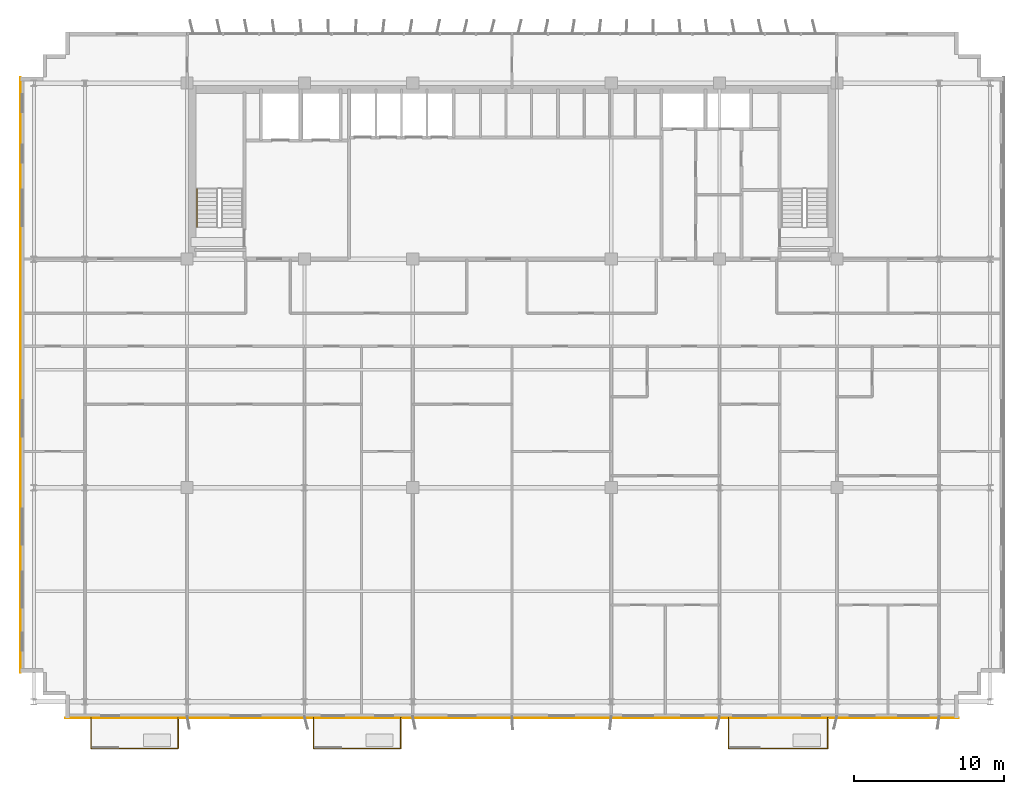
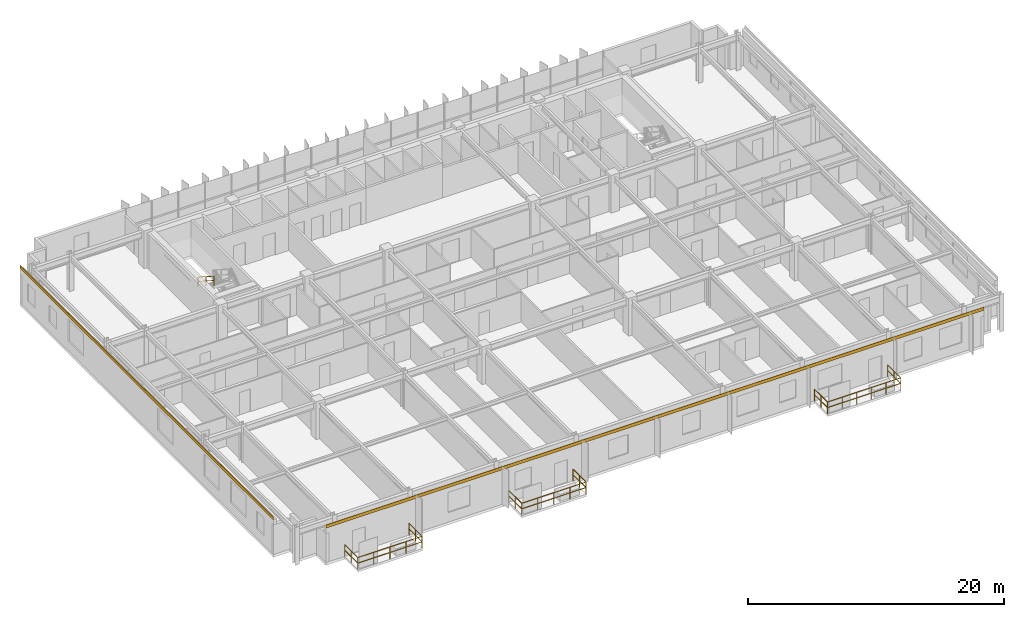
# One storey, part 19 of 21: 10 railings, 2 coverings.
"""IFC4 building model written with IfcOpenShell, lengths in metres."""

from ifc_helpers import new_model, si_unit, direction, frame, origin, origin_2d, place, context, subcontext, project, spatial, rectangle, extrude, source, transform, mapped, material, layer, layer_set, type_object, element, save


model = new_model("IFC4")

# Units and contexts
model_context = context("Model", 3, precision=1e-05, world=origin(), true_north=direction((0.0, 1.0)))
body_context = subcontext(model_context, "Body", "Model", "MODEL_VIEW")
ifc_project = project(units=[si_unit("LENGTHUNIT", "METRE"), si_unit("AREAUNIT", "SQUARE_METRE"), si_unit("VOLUMEUNIT", "CUBIC_METRE"), si_unit("PLANEANGLEUNIT", "RADIAN"), si_unit("MASSUNIT", "GRAM", prefix="KILO")], contexts=[model_context])

# Site, building, storey
site_placement = place(None, origin())
site = spatial("IfcSite", under=ifc_project, at=site_placement, CompositionType="ELEMENT")
building_placement = place(site_placement, origin())
building = spatial("IfcBuilding", under=site, at=building_placement, Name="Trelvane Seafront Commons", CompositionType="ELEMENT")
storey_placement = place(building_placement, frame((0.0, 0.0, 106.89990234375)))
storey = spatial("IfcBuildingStorey", under=building, at=storey_placement, Name="L27", CompositionType="ELEMENT", Elevation=106.89990234375)

# Railings
ifc_material_1 = material(Name="Stainless steel balustrade", Category="steel")
railing_type_1 = type_object("IfcRailingType", Name="ARCH-RAIL-BAL1150", PredefinedType="BALUSTRADE", material=ifc_material_1)
railing_1_placement = place(storey_placement, frame((9.199951171875, 2.89990234375, 0.0)))
element("IfcRailing", 1, at=railing_1_placement, inside=storey, type_object=railing_type_1, Name="RL-L27-BAL0-01", PredefinedType="BALUSTRADE", context=body_context, shape_type="SweptSolid", body=[
    extrude(rectangle(XDim=0.048095703125, YDim=0.048095703125, at=origin_2d()), frame((0.0, 0.0, 1.1259765625), z_axis=(0.0, -1.0, 0.0), x_axis=(1.0, 0.0, 0.0)), (0.0, 0.0, 1.0), 2.039794921875),
    extrude(rectangle(XDim=0.048095703125, YDim=0.048095703125, at=origin_2d()), frame((0.0, 0.0, 0.597900390625), z_axis=(0.0, -1.0, 0.0), x_axis=(1.0, 0.0, 0.0)), (0.0, 0.0, 1.0), 2.039794921875),
    extrude(rectangle(XDim=0.0419921875, YDim=0.0419921875, at=origin_2d()), origin(), (0.0, 0.0, 1.0), 1.1259765625),
    extrude(rectangle(XDim=0.0419921875, YDim=0.0419921875, at=origin_2d()), frame((0.0, -1.02001953125, 0.0)), (0.0, 0.0, 1.0), 1.1259765625),
    extrude(rectangle(XDim=0.0419921875, YDim=0.0419921875, at=origin_2d()), frame((0.0, -2.039794921875, 0.0)), (0.0, 0.0, 1.0), 1.1259765625),
])
railing_2_placement = place(storey_placement, frame((9.199951171875, 0.860107421875, 0.0)))
element("IfcRailing", 2, at=railing_2_placement, inside=storey, type_object=railing_type_1, Name="RL-L27-BAL0-02", PredefinedType="BALUSTRADE", context=body_context, shape_type="SweptSolid", body=[
    extrude(rectangle(XDim=0.048095703125, YDim=0.048095703125, at=origin_2d()), frame((0.0, 0.0, 1.1259765625), z_axis=(1.0, 0.0, 0.0), x_axis=(0.0, 1.0, 0.0)), (0.0, 0.0, 1.0), 5.800048828125),
    extrude(rectangle(XDim=0.048095703125, YDim=0.048095703125, at=origin_2d()), frame((0.0, 0.0, 0.597900390625), z_axis=(1.0, 0.0, 0.0), x_axis=(0.0, 1.0, 0.0)), (0.0, 0.0, 1.0), 5.800048828125),
    extrude(rectangle(XDim=0.0419921875, YDim=0.0419921875, at=origin_2d()), origin(), (0.0, 0.0, 1.0), 1.1259765625),
    extrude(rectangle(XDim=0.0419921875, YDim=0.0419921875, at=origin_2d()), frame((1.449951171875, 0.0, 0.0)), (0.0, 0.0, 1.0), 1.1259765625),
    extrude(rectangle(XDim=0.0419921875, YDim=0.0419921875, at=origin_2d()), frame((2.89990234375, 0.0, 0.0)), (0.0, 0.0, 1.0), 1.1259765625),
    extrude(rectangle(XDim=0.0419921875, YDim=0.0419921875, at=origin_2d()), frame((4.35009765625, 0.0, 0.0)), (0.0, 0.0, 1.0), 1.1259765625),
    extrude(rectangle(XDim=0.0419921875, YDim=0.0419921875, at=origin_2d()), frame((5.800048828125, 0.0, 0.0)), (0.0, 0.0, 1.0), 1.1259765625),
])
railing_3_placement = place(storey_placement, frame((15.0, 0.860107421875, 0.0)))
element("IfcRailing", 3, at=railing_3_placement, inside=storey, type_object=railing_type_1, Name="RL-L27-BAL0-03", PredefinedType="BALUSTRADE", context=body_context, shape_type="SweptSolid", body=[
    extrude(rectangle(XDim=0.048095703125, YDim=0.048095703125, at=origin_2d()), frame((0.0, 0.0, 1.1259765625), z_axis=(0.0, 1.0, 0.0), x_axis=(-1.0, 0.0, 0.0)), (0.0, 0.0, 1.0), 2.039794921875),
    extrude(rectangle(XDim=0.048095703125, YDim=0.048095703125, at=origin_2d()), frame((0.0, 0.0, 0.597900390625), z_axis=(0.0, 1.0, 0.0), x_axis=(-1.0, 0.0, 0.0)), (0.0, 0.0, 1.0), 2.039794921875),
    extrude(rectangle(XDim=0.0419921875, YDim=0.0419921875, at=origin_2d()), origin(), (0.0, 0.0, 1.0), 1.1259765625),
    extrude(rectangle(XDim=0.0419921875, YDim=0.0419921875, at=origin_2d()), frame((0.0, 1.02001953125, 0.0)), (0.0, 0.0, 1.0), 1.1259765625),
    extrude(rectangle(XDim=0.0419921875, YDim=0.0419921875, at=origin_2d()), frame((0.0, 2.039794921875, 0.0)), (0.0, 0.0, 1.0), 1.1259765625),
])
railing_4_placement = place(storey_placement, frame((24.0, 2.89990234375, 0.0)))
element("IfcRailing", 4, at=railing_4_placement, inside=storey, type_object=railing_type_1, Name="RL-L27-BAL1-01", PredefinedType="BALUSTRADE", context=body_context, shape_type="SweptSolid", body=[
    extrude(rectangle(XDim=0.048095703125, YDim=0.048095703125, at=origin_2d()), frame((0.0, 0.0, 1.1259765625), z_axis=(0.0, -1.0, 0.0), x_axis=(1.0, 0.0, 0.0)), (0.0, 0.0, 1.0), 2.039794921875),
    extrude(rectangle(XDim=0.048095703125, YDim=0.048095703125, at=origin_2d()), frame((0.0, 0.0, 0.597900390625), z_axis=(0.0, -1.0, 0.0), x_axis=(1.0, 0.0, 0.0)), (0.0, 0.0, 1.0), 2.039794921875),
    extrude(rectangle(XDim=0.0419921875, YDim=0.0419921875, at=origin_2d()), origin(), (0.0, 0.0, 1.0), 1.1259765625),
    extrude(rectangle(XDim=0.0419921875, YDim=0.0419921875, at=origin_2d()), frame((0.0, -1.02001953125, 0.0)), (0.0, 0.0, 1.0), 1.1259765625),
    extrude(rectangle(XDim=0.0419921875, YDim=0.0419921875, at=origin_2d()), frame((0.0, -2.039794921875, 0.0)), (0.0, 0.0, 1.0), 1.1259765625),
])
railing_5_placement = place(storey_placement, frame((24.0, 0.860107421875, 0.0)))
element("IfcRailing", 5, at=railing_5_placement, inside=storey, type_object=railing_type_1, Name="RL-L27-BAL1-02", PredefinedType="BALUSTRADE", context=body_context, shape_type="SweptSolid", body=[
    extrude(rectangle(XDim=0.048095703125, YDim=0.048095703125, at=origin_2d()), frame((0.0, 0.0, 1.1259765625), z_axis=(1.0, 0.0, 0.0), x_axis=(0.0, 1.0, 0.0)), (0.0, 0.0, 1.0), 5.800048828125),
    extrude(rectangle(XDim=0.048095703125, YDim=0.048095703125, at=origin_2d()), frame((0.0, 0.0, 0.597900390625), z_axis=(1.0, 0.0, 0.0), x_axis=(0.0, 1.0, 0.0)), (0.0, 0.0, 1.0), 5.800048828125),
    extrude(rectangle(XDim=0.0419921875, YDim=0.0419921875, at=origin_2d()), origin(), (0.0, 0.0, 1.0), 1.1259765625),
    extrude(rectangle(XDim=0.0419921875, YDim=0.0419921875, at=origin_2d()), frame((1.449951171875, 0.0, 0.0)), (0.0, 0.0, 1.0), 1.1259765625),
    extrude(rectangle(XDim=0.0419921875, YDim=0.0419921875, at=origin_2d()), frame((2.89990234375, 0.0, 0.0)), (0.0, 0.0, 1.0), 1.1259765625),
    extrude(rectangle(XDim=0.0419921875, YDim=0.0419921875, at=origin_2d()), frame((4.35009765625, 0.0, 0.0)), (0.0, 0.0, 1.0), 1.1259765625),
    extrude(rectangle(XDim=0.0419921875, YDim=0.0419921875, at=origin_2d()), frame((5.800048828125, 0.0, 0.0)), (0.0, 0.0, 1.0), 1.1259765625),
])
railing_6_placement = place(storey_placement, frame((29.800048828125, 0.860107421875, 0.0)))
element("IfcRailing", 6, at=railing_6_placement, inside=storey, type_object=railing_type_1, Name="RL-L27-BAL1-03", PredefinedType="BALUSTRADE", context=body_context, shape_type="SweptSolid", body=[
    extrude(rectangle(XDim=0.048095703125, YDim=0.048095703125, at=origin_2d()), frame((0.0, 0.0, 1.1259765625), z_axis=(0.0, 1.0, 0.0), x_axis=(-1.0, 0.0, 0.0)), (0.0, 0.0, 1.0), 2.039794921875),
    extrude(rectangle(XDim=0.048095703125, YDim=0.048095703125, at=origin_2d()), frame((0.0, 0.0, 0.597900390625), z_axis=(0.0, 1.0, 0.0), x_axis=(-1.0, 0.0, 0.0)), (0.0, 0.0, 1.0), 2.039794921875),
    extrude(rectangle(XDim=0.0419921875, YDim=0.0419921875, at=origin_2d()), origin(), (0.0, 0.0, 1.0), 1.1259765625),
    extrude(rectangle(XDim=0.0419921875, YDim=0.0419921875, at=origin_2d()), frame((0.0, 1.02001953125, 0.0)), (0.0, 0.0, 1.0), 1.1259765625),
    extrude(rectangle(XDim=0.0419921875, YDim=0.0419921875, at=origin_2d()), frame((0.0, 2.039794921875, 0.0)), (0.0, 0.0, 1.0), 1.1259765625),
])
railing_7_placement = place(storey_placement, frame((51.60009765625, 2.89990234375, 0.0)))
element("IfcRailing", 7, at=railing_7_placement, inside=storey, type_object=railing_type_1, Name="RL-L27-BAL2-01", PredefinedType="BALUSTRADE", context=body_context, shape_type="SweptSolid", body=[
    extrude(rectangle(XDim=0.048095703125, YDim=0.048095703125, at=origin_2d()), frame((0.0, 0.0, 1.1259765625), z_axis=(0.0, -1.0, 0.0), x_axis=(1.0, 0.0, 0.0)), (0.0, 0.0, 1.0), 2.039794921875),
    extrude(rectangle(XDim=0.048095703125, YDim=0.048095703125, at=origin_2d()), frame((0.0, 0.0, 0.597900390625), z_axis=(0.0, -1.0, 0.0), x_axis=(1.0, 0.0, 0.0)), (0.0, 0.0, 1.0), 2.039794921875),
    extrude(rectangle(XDim=0.0419921875, YDim=0.0419921875, at=origin_2d()), origin(), (0.0, 0.0, 1.0), 1.1259765625),
    extrude(rectangle(XDim=0.0419921875, YDim=0.0419921875, at=origin_2d()), frame((0.0, -1.02001953125, 0.0)), (0.0, 0.0, 1.0), 1.1259765625),
    extrude(rectangle(XDim=0.0419921875, YDim=0.0419921875, at=origin_2d()), frame((0.0, -2.039794921875, 0.0)), (0.0, 0.0, 1.0), 1.1259765625),
])
railing_8_placement = place(storey_placement, frame((51.60009765625, 0.860107421875, 0.0)))
element("IfcRailing", 8, at=railing_8_placement, inside=storey, type_object=railing_type_1, Name="RL-L27-BAL2-02", PredefinedType="BALUSTRADE", context=body_context, shape_type="SweptSolid", body=[
    extrude(rectangle(XDim=0.048095703125, YDim=0.048095703125, at=origin_2d()), frame((0.0, 0.0, 1.1259765625), z_axis=(1.0, 0.0, 0.0), x_axis=(0.0, 1.0, 0.0)), (0.0, 0.0, 1.0), 6.599853515625),
    extrude(rectangle(XDim=0.048095703125, YDim=0.048095703125, at=origin_2d()), frame((0.0, 0.0, 0.597900390625), z_axis=(1.0, 0.0, 0.0), x_axis=(0.0, 1.0, 0.0)), (0.0, 0.0, 1.0), 6.599853515625),
    extrude(rectangle(XDim=0.0419921875, YDim=0.0419921875, at=origin_2d()), origin(), (0.0, 0.0, 1.0), 1.1259765625),
    extrude(rectangle(XDim=0.0419921875, YDim=0.0419921875, at=origin_2d()), frame((1.320068359375, 0.0, 0.0)), (0.0, 0.0, 1.0), 1.1259765625),
    extrude(rectangle(XDim=0.0419921875, YDim=0.0419921875, at=origin_2d()), frame((2.639892578125, 0.0, 0.0)), (0.0, 0.0, 1.0), 1.1259765625),
    extrude(rectangle(XDim=0.0419921875, YDim=0.0419921875, at=origin_2d()), frame((3.9599609375, 0.0, 0.0)), (0.0, 0.0, 1.0), 1.1259765625),
    extrude(rectangle(XDim=0.0419921875, YDim=0.0419921875, at=origin_2d()), frame((5.27978515625, 0.0, 0.0)), (0.0, 0.0, 1.0), 1.1259765625),
    extrude(rectangle(XDim=0.0419921875, YDim=0.0419921875, at=origin_2d()), frame((6.599853515625, 0.0, 0.0)), (0.0, 0.0, 1.0), 1.1259765625),
])
railing_9_placement = place(storey_placement, frame((58.199951171875, 0.860107421875, 0.0)))
element("IfcRailing", 9, at=railing_9_placement, inside=storey, type_object=railing_type_1, Name="RL-L27-BAL2-03", PredefinedType="BALUSTRADE", context=body_context, shape_type="SweptSolid", body=[
    extrude(rectangle(XDim=0.048095703125, YDim=0.048095703125, at=origin_2d()), frame((0.0, 0.0, 1.1259765625), z_axis=(0.0, 1.0, 0.0), x_axis=(-1.0, 0.0, 0.0)), (0.0, 0.0, 1.0), 2.039794921875),
    extrude(rectangle(XDim=0.048095703125, YDim=0.048095703125, at=origin_2d()), frame((0.0, 0.0, 0.597900390625), z_axis=(0.0, 1.0, 0.0), x_axis=(-1.0, 0.0, 0.0)), (0.0, 0.0, 1.0), 2.039794921875),
    extrude(rectangle(XDim=0.0419921875, YDim=0.0419921875, at=origin_2d()), origin(), (0.0, 0.0, 1.0), 1.1259765625),
    extrude(rectangle(XDim=0.0419921875, YDim=0.0419921875, at=origin_2d()), frame((0.0, 1.02001953125, 0.0)), (0.0, 0.0, 1.0), 1.1259765625),
    extrude(rectangle(XDim=0.0419921875, YDim=0.0419921875, at=origin_2d()), frame((0.0, 2.039794921875, 0.0)), (0.0, 0.0, 1.0), 1.1259765625),
])
railing_type_2 = type_object("IfcRailingType", Name="ARCH-SRL-HAND", PredefinedType="HANDRAIL", material=ifc_material_1)
railing_10_placement = place(storey_placement, frame((16.25, 38.070068359375, 1.97998046875)))
element("IfcRailing", 10, at=railing_10_placement, inside=storey, type_object=railing_type_2, Name="L27 ST-1 stair handrail 2", PredefinedType="HANDRAIL", context=body_context, shape_type="SweptSolid", body=[
    extrude(rectangle(XDim=0.048095703125, YDim=0.048095703125, at=origin_2d()), frame((0.0, 0.0, 0.8759765625), z_axis=(0.0, -0.841162588446, 0.540782303519), x_axis=(1.0, 0.0, 0.0)), (0.0, 0.0, 1.0), 2.995849609375),
    extrude(rectangle(XDim=0.048095703125, YDim=0.048095703125, at=origin_2d()), frame((0.0, 0.0, 0.468017578125), z_axis=(0.0, -0.841162588446, 0.540782303519), x_axis=(1.0, 0.0, 0.0)), (0.0, 0.0, 1.0), 2.995849609375),
    extrude(rectangle(XDim=0.0419921875, YDim=0.0419921875, at=origin_2d()), origin(), (0.0, 0.0, 1.0), 0.8759765625),
    extrude(rectangle(XDim=0.0419921875, YDim=0.0419921875, at=origin_2d()), frame((0.0, -1.260009765625, 0.81005859375)), (0.0, 0.0, 1.0), 0.8759765625),
    extrude(rectangle(XDim=0.0419921875, YDim=0.0419921875, at=origin_2d()), frame((0.0, -2.52001953125, 1.6201171875)), (0.0, 0.0, 1.0), 0.8759765625),
])

# Coverings
ifc_material_2 = material(Name="Anodised pale-silver aluminium", Category="aluminium")
ifc_layer = layer(ifc_material_2, 0.034912109375, Name="ARCH-COV-CLAD35")
ifc_layer_set = layer_set([ifc_layer], Name="Anodised pale-silver aluminium")
covering_type = type_object("IfcCoveringType", Name="ARCH-COV-CLAD35", PredefinedType="CLADDING", material=ifc_layer_set)
shared_shape_1 = source(origin(), body_context, "Body", "SweptSolid", [
    extrude(rectangle(XDim=39.60009765625, YDim=0.034912109375, at=origin_2d()), origin(), (0.0, 0.0, 1.0), 0.300048828125),
])
covering_1_placement = place(storey_placement, frame((4.5, 25.699951171875, 3.30029296875), z_axis=(0.0, 0.0, 1.0), x_axis=(0.0, 1.0, 0.0)))
element("IfcCovering", 11, at=covering_1_placement, inside=storey, type_object=covering_type, Name="CLD-L27-00112", PredefinedType="CLADDING", context=body_context, shape_type="MappedRepresentation", body=[
    mapped(shared_shape_1, transform((0.0, 0.0, 0.0), x_axis=(1.0, 0.0, 0.0), y_axis=(0.0, 1.0, 0.0), z_axis=(0.0, 0.0, 1.0), scale=1.0)),
])
shared_shape_2 = source(origin(), body_context, "Body", "SweptSolid", [
    extrude(rectangle(XDim=59.39990234375, YDim=0.034912109375, at=origin_2d()), origin(), (0.0, 0.0, 1.0), 0.300048828125),
])
covering_2_placement = place(storey_placement, frame((37.199951171875, 2.89990234375, 3.30029296875), z_axis=(0.0, 0.0, 1.0), x_axis=(-1.0, 0.0, 0.0)))
element("IfcCovering", 12, at=covering_2_placement, inside=storey, type_object=covering_type, Name="CLD-L27-00114", PredefinedType="CLADDING", context=body_context, shape_type="MappedRepresentation", body=[
    mapped(shared_shape_2, transform((0.0, 0.0, 0.0), x_axis=(1.0, 0.0, 0.0), y_axis=(0.0, 1.0, 0.0), z_axis=(0.0, 0.0, 1.0), scale=1.0)),
])

save(model, "model.ifc")
